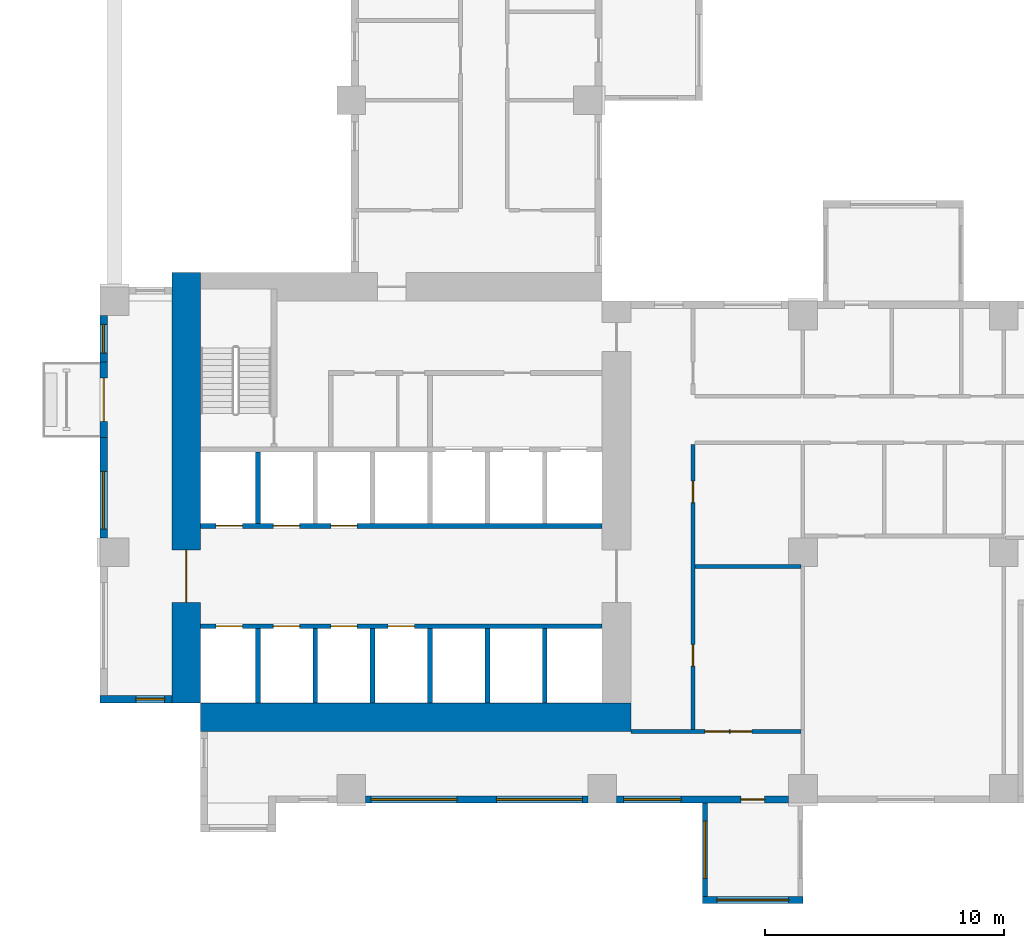
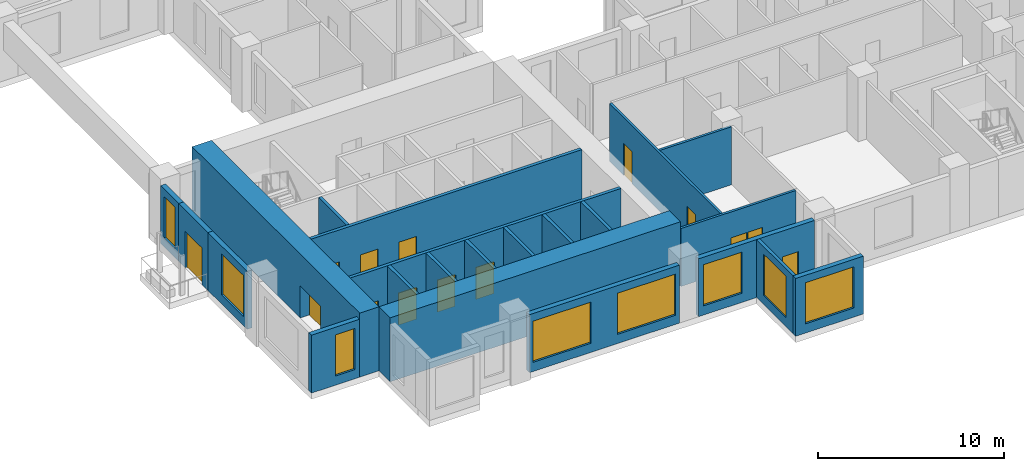
# One storey, part 2 of 14: 22 walls, 14 doors, 8 windows, 22 openings.
"""IFC4 building model written with IfcOpenShell, lengths in metres."""

from ifc_helpers import new_model, si_unit, direction, frame, frame_2d, origin, place, context, subcontext, project, spatial, rectangle, extrude, source, transform, mapped, material, layer, layer_set, type_object, element, fill, save


model = new_model("IFC4")

# Units and contexts
model_context = context("Model", 3, precision=1e-05, world=origin(), true_north=direction((0.0, 1.0)))
body_context = subcontext(model_context, "Body", "Model", "MODEL_VIEW")
ifc_project = project(units=[si_unit("LENGTHUNIT", "METRE"), si_unit("AREAUNIT", "SQUARE_METRE"), si_unit("VOLUMEUNIT", "CUBIC_METRE"), si_unit("PLANEANGLEUNIT", "RADIAN"), si_unit("MASSUNIT", "GRAM", prefix="KILO")], contexts=[model_context])

# Site, building, storey
site_placement = place(None, origin())
site = spatial("IfcSite", under=ifc_project, at=site_placement, CompositionType="ELEMENT")
building_placement = place(site_placement, origin())
building = spatial("IfcBuilding", under=site, at=building_placement, Name="Aurelian Terraces", CompositionType="ELEMENT")
storey_placement = place(building_placement, frame((0.0, 0.0, 78.3)))
storey = spatial("IfcBuildingStorey", under=building, at=storey_placement, Name="L16", CompositionType="ELEMENT", Elevation=78.3)

# Wall, openings, windows
ifc_material_1 = material(Name="Terracotta rainscreen cladding", Category="masonry")
ifc_layer_1 = layer(ifc_material_1, 0.3)
ifc_layer_set_1 = layer_set([ifc_layer_1], Name="EW-300")
wall_type_1 = type_object("IfcWallType", Name="EW-300", PredefinedType="STANDARD", material=ifc_layer_set_1)
wall_1_placement = place(storey_placement, frame((11.1, 0.15, 0.0), z_axis=(0.0, 0.0, 1.0), x_axis=(1.0, 0.0, 0.0)))
wall_1 = element("IfcWall", 1, at=wall_1_placement, inside=storey, type_object=wall_type_1, Name="External wall L16 F01.3", PredefinedType="STANDARD", context=body_context, shape_type="SweptSolid", body=[
    extrude(rectangle(XDim=9.3, YDim=0.3, at=frame_2d((4.65, 0.0))), origin(), (0.0, 0.0, 1.0), 3.8),
])
shared_shape_1 = source(origin(), body_context, "Body", "SweptSolid", [
    extrude(rectangle(XDim=3.6, YDim=2.7, at=frame_2d((1.8, 1.35))), frame((0.0, 0.16, 0.0), z_axis=(0.0, -1.0, 0.0), x_axis=(1.0, 0.0, 0.0)), (0.0, 0.0, 1.0), 0.32),
])
opening_1_placement = place(wall_1_placement, frame((0.225, 0.0, 0.6)))
opening_1 = element("IfcOpeningElement", 2, at=opening_1_placement, cuts=wall_1, Name="Opening W3627", PredefinedType="OPENING", context=body_context, shape_type="MappedRepresentation", body=[
    mapped(shared_shape_1, transform((0.0, 0.0, 0.0), scale=1.0)),
])
opening_2_placement = place(wall_1_placement, frame((5.475, 0.0, 0.6)))
opening_2 = element("IfcOpeningElement", 3, at=opening_2_placement, cuts=wall_1, Name="Opening W3627", PredefinedType="OPENING", context=body_context, shape_type="MappedRepresentation", body=[
    mapped(shared_shape_1, transform((0.0, 0.0, 0.0), scale=1.0)),
])
ifc_material_2 = material(Name="Clear glazing", Category="glass")
window_type_1 = type_object("IfcWindowType", Name="W-3600x2700", PartitioningType="SINGLE_PANEL", PredefinedType="WINDOW", material=ifc_material_2)
shared_shape_2 = source(origin(), body_context, "Body", "SweptSolid", [
    extrude(rectangle(XDim=3.6, YDim=2.7, at=frame_2d((1.8, 1.35))), frame((0.0, 0.03, 0.0), z_axis=(0.0, -1.0, 0.0), x_axis=(1.0, 0.0, 0.0)), (0.0, 0.0, 1.0), 0.06),
])
window_1_placement = place(opening_1_placement, origin())
window_1 = element("IfcWindow", 4, at=window_1_placement, inside=storey, type_object=window_type_1, Name="Window L16 L16-F01-03-0", OverallHeight=2.7, OverallWidth=3.6, PartitioningType="SINGLE_PANEL", PredefinedType="WINDOW", context=body_context, shape_type="MappedRepresentation", body=[
    mapped(shared_shape_2, transform((0.0, 0.0, 0.0), scale=1.0)),
])
fill(opening_1, window_1)
window_2_placement = place(opening_2_placement, origin())
window_2 = element("IfcWindow", 5, at=window_2_placement, inside=storey, type_object=window_type_1, Name="Window L16 L16-F01-03-1", OverallHeight=2.7, OverallWidth=3.6, PartitioningType="SINGLE_PANEL", PredefinedType="WINDOW", context=body_context, shape_type="MappedRepresentation", body=[
    mapped(shared_shape_2, transform((0.0, 0.0, 0.0), scale=1.0)),
])
fill(opening_2, window_2)

# Wall, opening, door
ifc_material_3 = material(Name="Concrete fc' 83 MPa", Category="concrete")
ifc_layer_2 = layer(ifc_material_3, 1.2)
ifc_layer_set_2 = layer_set([ifc_layer_2], Name="CORE WALL 1200 FC83")
wall_type_2 = type_object("IfcWallType", Name="CORE WALL 1200 FC83", PredefinedType="SHEAR", material=ifc_layer_set_2)
shared_shape_3 = source(origin(), body_context, "Body", "SweptSolid", [
    extrude(rectangle(XDim=18.0, YDim=1.2, at=frame_2d((9.0, 0.0))), origin(), (0.0, 0.0, 1.0), 4.2),
])
wall_2_placement = place(storey_placement, frame((3.6, 4.2, 0.0), z_axis=(0.0, 0.0, 1.0), x_axis=(0.0, 1.0, 0.0)))
wall_2 = element("IfcWall", 6, at=wall_2_placement, inside=storey, type_object=wall_type_2, Name="Core wall W L16", PredefinedType="SHEAR", context=body_context, shape_type="MappedRepresentation", body=[
    mapped(shared_shape_3, transform((0.0, 0.0, 0.0), scale=1.0)),
])
shared_shape_4 = source(origin(), body_context, "Body", "SweptSolid", [
    extrude(rectangle(XDim=2.2, YDim=2.1, at=frame_2d((1.1, 1.05))), frame((0.0, 0.61, 0.0), z_axis=(0.0, -1.0, 0.0), x_axis=(1.0, 0.0, 0.0)), (0.0, 0.0, 1.0), 1.22),
])
opening_3_placement = place(wall_2_placement, frame((4.2, 0.0, 0.0)))
opening_3 = element("IfcOpeningElement", 7, at=opening_3_placement, cuts=wall_2, Name="Opening 61921", PredefinedType="OPENING", context=body_context, shape_type="MappedRepresentation", body=[
    mapped(shared_shape_4, transform((0.0, 0.0, 0.0), scale=1.0)),
])
ifc_material_4 = material(Name="Steel door leaf", Category="steel")
door_type_1 = type_object("IfcDoorType", Name="Core double door 2200x2100", OperationType="DOUBLE_DOOR_SINGLE_SWING", PredefinedType="DOOR", material=ifc_material_4)
shared_shape_5 = source(origin(), body_context, "Body", "SweptSolid", [
    extrude(rectangle(XDim=2.2, YDim=2.1, at=frame_2d((1.1, 1.05))), frame((0.0, 0.025, 0.0), z_axis=(0.0, -1.0, 0.0), x_axis=(1.0, 0.0, 0.0)), (0.0, 0.0, 1.0), 0.05),
])
door_1_placement = place(opening_3_placement, origin())
door_1 = element("IfcDoor", 8, at=door_1_placement, inside=storey, type_object=door_type_1, Name="Core door 61921", OperationType="DOUBLE_DOOR_SINGLE_SWING", OverallHeight=2.1, OverallWidth=2.2, PredefinedType="DOOR", context=body_context, shape_type="MappedRepresentation", body=[
    mapped(shared_shape_5, transform((0.0, 0.0, 0.0), scale=1.0)),
])
fill(opening_3, door_1)

# Wall
wall_3_placement = place(storey_placement, frame((4.2, 3.6, 0.0), z_axis=(0.0, 0.0, 1.0), x_axis=(1.0, 0.0, 0.0)))
element("IfcWall", 9, at=wall_3_placement, inside=storey, type_object=wall_type_2, Name="Core wall S L16", PredefinedType="SHEAR", context=body_context, shape_type="MappedRepresentation", body=[
    mapped(shared_shape_3, transform((0.0, 0.0, 0.0), scale=1.0)),
])

# Wall, openings, window, door
shared_shape_6 = source(origin(), body_context, "Body", "SweptSolid", [
    extrude(rectangle(XDim=7.2, YDim=0.3, at=frame_2d((3.6, 0.0))), origin(), (0.0, 0.0, 1.0), 3.8),
])
wall_4_placement = place(storey_placement, frame((21.6, 0.15, 0.0), z_axis=(0.0, 0.0, 1.0), x_axis=(1.0, 0.0, 0.0)))
wall_4 = element("IfcWall", 10, at=wall_4_placement, inside=storey, type_object=wall_type_1, Name="External wall L16 F01.4", PredefinedType="STANDARD", context=body_context, shape_type="MappedRepresentation", body=[
    mapped(shared_shape_6, transform((0.0, 0.0, 0.0), scale=1.0)),
])
shared_shape_7 = source(origin(), body_context, "Body", "SweptSolid", [
    extrude(rectangle(XDim=2.4, YDim=2.7, at=frame_2d((1.2, 1.35))), frame((0.0, 0.16, 0.0), z_axis=(0.0, -1.0, 0.0), x_axis=(1.0, 0.0, 0.0)), (0.0, 0.0, 1.0), 0.32),
])
opening_4_placement = place(wall_4_placement, frame((0.3, 0.0, 0.6)))
opening_4 = element("IfcOpeningElement", 11, at=opening_4_placement, cuts=wall_4, Name="Opening W2427", PredefinedType="OPENING", context=body_context, shape_type="MappedRepresentation", body=[
    mapped(shared_shape_7, transform((0.0, 0.0, 0.0), scale=1.0)),
])
shared_shape_8 = source(origin(), body_context, "Body", "SweptSolid", [
    extrude(rectangle(XDim=1.0, YDim=2.1, at=frame_2d((0.5, 1.05))), frame((0.0, 0.16, 0.0), z_axis=(0.0, -1.0, 0.0), x_axis=(1.0, 0.0, 0.0)), (0.0, 0.0, 1.0), 0.32),
])
opening_5_placement = place(wall_4_placement, frame((5.2, 0.0, 0.0)))
opening_5 = element("IfcOpeningElement", 12, at=opening_5_placement, cuts=wall_4, Name="Opening 816004", PredefinedType="OPENING", context=body_context, shape_type="MappedRepresentation", body=[
    mapped(shared_shape_8, transform((0.0, 0.0, 0.0), scale=1.0)),
])
window_type_2 = type_object("IfcWindowType", Name="W-2400x2700", PartitioningType="SINGLE_PANEL", PredefinedType="WINDOW", material=ifc_material_2)
shared_shape_9 = source(origin(), body_context, "Body", "SweptSolid", [
    extrude(rectangle(XDim=2.4, YDim=2.7, at=frame_2d((1.2, 1.35))), frame((0.0, 0.03, 0.0), z_axis=(0.0, -1.0, 0.0), x_axis=(1.0, 0.0, 0.0)), (0.0, 0.0, 1.0), 0.06),
])
window_3_placement = place(opening_4_placement, origin())
window_3 = element("IfcWindow", 13, at=window_3_placement, inside=storey, type_object=window_type_2, Name="Window L16 L16-F01-04-0", OverallHeight=2.7, OverallWidth=2.4, PartitioningType="SINGLE_PANEL", PredefinedType="WINDOW", context=body_context, shape_type="MappedRepresentation", body=[
    mapped(shared_shape_9, transform((0.0, 0.0, 0.0), scale=1.0)),
])
fill(opening_4, window_3)
ifc_material_5 = material(Name="Timber door leaf", Category="wood")
door_type_2 = type_object("IfcDoorType", Name="Room door 1000x2100 left", OperationType="SINGLE_SWING_LEFT", PredefinedType="DOOR", material=ifc_material_5)
shared_shape_10 = source(origin(), body_context, "Body", "SweptSolid", [
    extrude(rectangle(XDim=1.0, YDim=2.1, at=frame_2d((0.5, 1.05))), frame((0.0, 0.025, 0.0), z_axis=(0.0, -1.0, 0.0), x_axis=(1.0, 0.0, 0.0)), (0.0, 0.0, 1.0), 0.05),
])
door_2_placement = place(opening_5_placement, origin())
door_2 = element("IfcDoor", 14, at=door_2_placement, inside=storey, type_object=door_type_2, Name="Door 816004", OperationType="SINGLE_SWING_LEFT", OverallHeight=2.1, OverallWidth=1.0, PredefinedType="DOOR", context=body_context, shape_type="MappedRepresentation", body=[
    mapped(shared_shape_10, transform((0.0, 0.0, 0.0), scale=1.0)),
])
fill(opening_5, door_2)

# Wall, opening, door
shared_shape_11 = source(origin(), body_context, "Body", "SweptSolid", [
    extrude(rectangle(XDim=3.15, YDim=0.3, at=frame_2d((1.575, 0.0))), origin(), (0.0, 0.0, 1.0), 3.8),
])
wall_5_placement = place(storey_placement, frame((0.15, 18.45, 0.0), z_axis=(0.0, 0.0, 1.0), x_axis=(0.0, -1.0, 0.0)))
wall_5 = element("IfcWall", 15, at=wall_5_placement, inside=storey, type_object=wall_type_1, Name="External wall L16 F16.37", PredefinedType="STANDARD", context=body_context, shape_type="MappedRepresentation", body=[
    mapped(shared_shape_11, transform((0.0, 0.0, 0.0), scale=1.0)),
])
shared_shape_12 = source(origin(), body_context, "Body", "SweptSolid", [
    extrude(rectangle(XDim=1.8, YDim=2.4, at=frame_2d((0.9, 1.2))), frame((0.0, 0.16, 0.0), z_axis=(0.0, -1.0, 0.0), x_axis=(1.0, 0.0, 0.0)), (0.0, 0.0, 1.0), 0.32),
])
opening_6_placement = place(wall_5_placement, frame((0.675, 0.0, 0.0)))
opening_6 = element("IfcOpeningElement", 16, at=opening_6_placement, cuts=wall_5, Name="Opening 81602", PredefinedType="OPENING", context=body_context, shape_type="MappedRepresentation", body=[
    mapped(shared_shape_12, transform((0.0, 0.0, 0.0), scale=1.0)),
])
door_type_3 = type_object("IfcDoorType", Name="BD-1800x2400", OperationType="SLIDING_TO_LEFT", PredefinedType="DOOR", material=ifc_material_2)
shared_shape_13 = source(origin(), body_context, "Body", "SweptSolid", [
    extrude(rectangle(XDim=1.8, YDim=2.4, at=frame_2d((0.9, 1.2))), frame((0.0, 0.025, 0.0), z_axis=(0.0, -1.0, 0.0), x_axis=(1.0, 0.0, 0.0)), (0.0, 0.0, 1.0), 0.05),
])
door_3_placement = place(opening_6_placement, origin())
door_3 = element("IfcDoor", 17, at=door_3_placement, inside=storey, type_object=door_type_3, Name="Balcony door L16 F16.37", OperationType="SLIDING_TO_LEFT", OverallHeight=2.4, OverallWidth=1.8, PredefinedType="DOOR", context=body_context, shape_type="MappedRepresentation", body=[
    mapped(shared_shape_13, transform((0.0, 0.0, 0.0), scale=1.0)),
])
fill(opening_6, door_3)

# Wall, opening, window
shared_shape_14 = source(origin(), body_context, "Body", "SweptSolid", [
    extrude(rectangle(XDim=4.2, YDim=0.3, at=frame_2d((2.1, 0.0))), origin(), (0.0, 0.0, 1.0), 3.8),
])
wall_6_placement = place(storey_placement, frame((0.15, 15.3, 0.0), z_axis=(0.0, 0.0, 1.0), x_axis=(0.0, -1.0, 0.0)))
wall_6 = element("IfcWall", 18, at=wall_6_placement, inside=storey, type_object=wall_type_1, Name="External wall L16 F16.38", PredefinedType="STANDARD", context=body_context, shape_type="MappedRepresentation", body=[
    mapped(shared_shape_14, transform((0.0, 0.0, 0.0), scale=1.0)),
])
opening_7_placement = place(wall_6_placement, frame((1.425, 0.0, 0.6)))
opening_7 = element("IfcOpeningElement", 19, at=opening_7_placement, cuts=wall_6, Name="Opening W2427", PredefinedType="OPENING", context=body_context, shape_type="MappedRepresentation", body=[
    mapped(shared_shape_7, transform((0.0, 0.0, 0.0), scale=1.0)),
])
window_4_placement = place(opening_7_placement, origin())
window_4 = element("IfcWindow", 20, at=window_4_placement, inside=storey, type_object=window_type_2, Name="Window L16 L16-F16-38-0", OverallHeight=2.7, OverallWidth=2.4, PartitioningType="SINGLE_PANEL", PredefinedType="WINDOW", context=body_context, shape_type="MappedRepresentation", body=[
    mapped(shared_shape_9, transform((0.0, 0.0, 0.0), scale=1.0)),
])
fill(opening_7, window_4)

shared_shape_15 = source(origin(), body_context, "Body", "SweptSolid", [
    extrude(rectangle(XDim=3.0, YDim=0.3, at=frame_2d((1.5, 0.0))), origin(), (0.0, 0.0, 1.0), 3.8),
])
wall_7_placement = place(storey_placement, frame((0.0, 4.35, 0.0), z_axis=(0.0, 0.0, 1.0), x_axis=(1.0, 0.0, 0.0)))
wall_7 = element("IfcWall", 21, at=wall_7_placement, inside=storey, type_object=wall_type_1, Name="External wall L16 F17.39", PredefinedType="STANDARD", context=body_context, shape_type="MappedRepresentation", body=[
    mapped(shared_shape_15, transform((0.0, 0.0, 0.0), scale=1.0)),
])
shared_shape_16 = source(origin(), body_context, "Body", "SweptSolid", [
    extrude(rectangle(XDim=1.2, YDim=2.7, at=frame_2d((0.6, 1.35))), frame((0.0, 0.16, 0.0), z_axis=(0.0, -1.0, 0.0), x_axis=(1.0, 0.0, 0.0)), (0.0, 0.0, 1.0), 0.32),
])
opening_8_placement = place(wall_7_placement, frame((1.5, 0.0, 0.6)))
opening_8 = element("IfcOpeningElement", 22, at=opening_8_placement, cuts=wall_7, Name="Opening W1227", PredefinedType="OPENING", context=body_context, shape_type="MappedRepresentation", body=[
    mapped(shared_shape_16, transform((0.0, 0.0, 0.0), scale=1.0)),
])
window_type_3 = type_object("IfcWindowType", Name="W-1200x2700", PartitioningType="SINGLE_PANEL", PredefinedType="WINDOW", material=ifc_material_2)
shared_shape_17 = source(origin(), body_context, "Body", "SweptSolid", [
    extrude(rectangle(XDim=1.2, YDim=2.7, at=frame_2d((0.6, 1.35))), frame((0.0, 0.03, 0.0), z_axis=(0.0, -1.0, 0.0), x_axis=(1.0, 0.0, 0.0)), (0.0, 0.0, 1.0), 0.06),
])
window_5_placement = place(opening_8_placement, origin())
window_5 = element("IfcWindow", 23, at=window_5_placement, inside=storey, type_object=window_type_3, Name="Window L16 L16-F17-39-0", OverallHeight=2.7, OverallWidth=1.2, PartitioningType="SINGLE_PANEL", PredefinedType="WINDOW", context=body_context, shape_type="MappedRepresentation", body=[
    mapped(shared_shape_17, transform((0.0, 0.0, 0.0), scale=1.0)),
])
fill(opening_8, window_5)

ifc_material_6 = material(Name="Concrete fc' 40 MPa", Category="concrete")
ifc_layer_3 = layer(ifc_material_6, 0.2)
ifc_layer_set_3 = layer_set([ifc_layer_3], Name="BOX BEARING WALL 200")
wall_type_3 = type_object("IfcWallType", Name="BOX BEARING WALL 200", PredefinedType="SOLIDWALL", material=ifc_layer_set_3)
shared_shape_18 = source(origin(), body_context, "Body", "SweptSolid", [
    extrude(rectangle(XDim=3.9, YDim=0.2, at=frame_2d((1.95, 0.0))), origin(), (0.0, 0.0, 1.0), 3.79),
])
wall_8_placement = place(storey_placement, frame((25.3, 0.0, 0.0), z_axis=(0.0, 0.0, 1.0), x_axis=(0.0, -1.0, 0.0)))
wall_8 = element("IfcWall", 24, at=wall_8_placement, inside=storey, type_object=wall_type_3, Name="Box return L16 J19.1", PredefinedType="SOLIDWALL", context=body_context, shape_type="MappedRepresentation", body=[
    mapped(shared_shape_18, transform((0.0, 0.0, 0.0), scale=1.0)),
])
shared_shape_19 = source(origin(), body_context, "Body", "SweptSolid", [
    extrude(rectangle(XDim=2.4, YDim=2.7, at=frame_2d((1.2, 1.35))), frame((0.0, 0.11, 0.0), z_axis=(0.0, -1.0, 0.0), x_axis=(1.0, 0.0, 0.0)), (0.0, 0.0, 1.0), 0.22),
])
opening_9_placement = place(wall_8_placement, frame((0.75, 0.0, 0.6)))
opening_9 = element("IfcOpeningElement", 25, at=opening_9_placement, cuts=wall_8, Name="Opening W2427", PredefinedType="OPENING", context=body_context, shape_type="MappedRepresentation", body=[
    mapped(shared_shape_19, transform((0.0, 0.0, 0.0), scale=1.0)),
])
window_6_placement = place(opening_9_placement, origin())
window_6 = element("IfcWindow", 26, at=window_6_placement, inside=storey, type_object=window_type_2, Name="Window L16 J19-S1", OverallHeight=2.7, OverallWidth=2.4, PartitioningType="SINGLE_PANEL", PredefinedType="WINDOW", context=body_context, shape_type="MappedRepresentation", body=[
    mapped(shared_shape_9, transform((0.0, 0.0, 0.0), scale=1.0)),
])
fill(opening_9, window_6)

ifc_layer_4 = layer(ifc_material_6, 0.3)
ifc_layer_set_4 = layer_set([ifc_layer_4], Name="BOX BEARING WALL 300")
wall_type_4 = type_object("IfcWallType", Name="BOX BEARING WALL 300", PredefinedType="SOLIDWALL", material=ifc_layer_set_4)
shared_shape_20 = source(origin(), body_context, "Body", "SweptSolid", [
    extrude(rectangle(XDim=4.2, YDim=0.3, at=frame_2d((2.1, 0.0))), origin(), (0.0, 0.0, 1.0), 3.79),
])
wall_9_placement = place(storey_placement, frame((25.2, -4.05, 0.0), z_axis=(0.0, 0.0, 1.0), x_axis=(1.0, 0.0, 0.0)))
wall_9 = element("IfcWall", 27, at=wall_9_placement, inside=storey, type_object=wall_type_4, Name="Box wall L16 J19", PredefinedType="SOLIDWALL", context=body_context, shape_type="MappedRepresentation", body=[
    mapped(shared_shape_20, transform((0.0, 0.0, 0.0), scale=1.0)),
])
shared_shape_21 = source(origin(), body_context, "Body", "SweptSolid", [
    extrude(rectangle(XDim=3.0, YDim=2.7, at=frame_2d((1.5, 1.35))), frame((0.0, 0.16, 0.0), z_axis=(0.0, -1.0, 0.0), x_axis=(1.0, 0.0, 0.0)), (0.0, 0.0, 1.0), 0.32),
])
opening_10_placement = place(wall_9_placement, frame((0.6, 0.0, 0.6)))
opening_10 = element("IfcOpeningElement", 28, at=opening_10_placement, cuts=wall_9, Name="Opening W3027", PredefinedType="OPENING", context=body_context, shape_type="MappedRepresentation", body=[
    mapped(shared_shape_21, transform((0.0, 0.0, 0.0), scale=1.0)),
])
window_type_4 = type_object("IfcWindowType", Name="W-3000x2700", PartitioningType="SINGLE_PANEL", PredefinedType="WINDOW", material=ifc_material_2)
shared_shape_22 = source(origin(), body_context, "Body", "SweptSolid", [
    extrude(rectangle(XDim=3.0, YDim=2.7, at=frame_2d((1.5, 1.35))), frame((0.0, 0.03, 0.0), z_axis=(0.0, -1.0, 0.0), x_axis=(1.0, 0.0, 0.0)), (0.0, 0.0, 1.0), 0.06),
])
window_7_placement = place(opening_10_placement, origin())
window_7 = element("IfcWindow", 29, at=window_7_placement, inside=storey, type_object=window_type_4, Name="Window L16 J19-F1", OverallHeight=2.7, OverallWidth=3.0, PartitioningType="SINGLE_PANEL", PredefinedType="WINDOW", context=body_context, shape_type="MappedRepresentation", body=[
    mapped(shared_shape_22, transform((0.0, 0.0, 0.0), scale=1.0)),
])
fill(opening_10, window_7)

shared_shape_23 = source(origin(), body_context, "Body", "SweptSolid", [
    extrude(rectangle(XDim=1.95, YDim=0.3, at=frame_2d((0.975, 0.0))), origin(), (0.0, 0.0, 1.0), 3.8),
])
wall_10_placement = place(storey_placement, frame((0.15, 20.4, 0.0), z_axis=(0.0, 0.0, 1.0), x_axis=(0.0, -1.0, 0.0)))
wall_10 = element("IfcWall", 30, at=wall_10_placement, inside=storey, type_object=wall_type_1, Name="External wall L16 F16.36", PredefinedType="STANDARD", context=body_context, shape_type="MappedRepresentation", body=[
    mapped(shared_shape_23, transform((0.0, 0.0, 0.0), scale=1.0)),
])
opening_11_placement = place(wall_10_placement, frame((0.375, 0.0, 0.6)))
opening_11 = element("IfcOpeningElement", 31, at=opening_11_placement, cuts=wall_10, Name="Opening W1227", PredefinedType="OPENING", context=body_context, shape_type="MappedRepresentation", body=[
    mapped(shared_shape_16, transform((0.0, 0.0, 0.0), scale=1.0)),
])
window_8_placement = place(opening_11_placement, origin())
window_8 = element("IfcWindow", 32, at=window_8_placement, inside=storey, type_object=window_type_3, Name="Window L16 L16-F16-36-P0", OverallHeight=2.7, OverallWidth=1.2, PartitioningType="SINGLE_PANEL", PredefinedType="WINDOW", context=body_context, shape_type="MappedRepresentation", body=[
    mapped(shared_shape_17, transform((0.0, 0.0, 0.0), scale=1.0)),
])
fill(opening_11, window_8)

# Walls
ifc_layer_5 = layer(ifc_material_6, 0.2)
ifc_layer_set_5 = layer_set([ifc_layer_5], Name="Lift shaft wall 200")
wall_type_5 = type_object("IfcWallType", Name="Lift shaft wall 200", PredefinedType="SOLIDWALL", material=ifc_layer_set_5)
shared_shape_24 = source(origin(), body_context, "Body", "SweptSolid", [
    extrude(rectangle(XDim=3.1, YDim=0.2, at=frame_2d((1.55, 0.0))), origin(), (0.0, 0.0, 1.0), 4.2),
])
for number, where, z_axis, x_axis, name in (
    (33, (6.6, 4.2, 0.0), (0.0, 0.0, 1.0), (0.0, 1.0, 0.0), "L16 core wall CD-A1"),
    (34, (9.0, 4.2, 0.0), (0.0, 0.0, 1.0), (0.0, 1.0, 0.0), "L16 core wall CD-A2"),
    (35, (11.4, 4.2, 0.0), (0.0, 0.0, 1.0), (0.0, 1.0, 0.0), "L16 core wall CD-A3"),
    (36, (13.8, 4.2, 0.0), (0.0, 0.0, 1.0), (0.0, 1.0, 0.0), "L16 core wall CD-A4"),
    (37, (16.2, 4.2, 0.0), (0.0, 0.0, 1.0), (0.0, 1.0, 0.0), "L16 core wall CD-A5"),
    (38, (18.6, 4.2, 0.0), (0.0, 0.0, 1.0), (0.0, 1.0, 0.0), "L16 core wall CD-A6"),
):
    element("IfcWall", number, at=place(storey_placement, frame(where, z_axis=z_axis, x_axis=x_axis)), inside=storey, type_object=wall_type_5, Name=name, PredefinedType="SOLIDWALL", context=body_context, shape_type="MappedRepresentation", body=[
        mapped(shared_shape_24, transform((0.0, 0.0, 0.0), scale=1.0)),
    ])
shared_shape_25 = source(origin(), body_context, "Body", "SweptSolid", [
    extrude(rectangle(XDim=3.0, YDim=0.2, at=frame_2d((1.5, 0.0))), origin(), (0.0, 0.0, 1.0), 4.2),
])
wall_11_placement = place(storey_placement, frame((6.6, 11.7, 0.0), z_axis=(0.0, 0.0, 1.0), x_axis=(0.0, 1.0, 0.0)))
element("IfcWall", 39, at=wall_11_placement, inside=storey, type_object=wall_type_5, Name="L16 core wall CD-B1", PredefinedType="SOLIDWALL", context=body_context, shape_type="MappedRepresentation", body=[
    mapped(shared_shape_25, transform((0.0, 0.0, 0.0), scale=1.0)),
])

# Wall, openings, doors
shared_shape_26 = source(origin(), body_context, "Body", "SweptSolid", [
    extrude(rectangle(XDim=16.8, YDim=0.2, at=frame_2d((8.4, 0.0))), origin(), (0.0, 0.0, 1.0), 4.2),
])
wall_12_placement = place(storey_placement, frame((4.2, 7.4, 0.0), z_axis=(0.0, 0.0, 1.0), x_axis=(1.0, 0.0, 0.0)))
wall_12 = element("IfcWall", 40, at=wall_12_placement, inside=storey, type_object=wall_type_5, Name="L16 core wall CF-AF1", PredefinedType="SOLIDWALL", context=body_context, shape_type="MappedRepresentation", body=[
    mapped(shared_shape_26, transform((0.0, 0.0, 0.0), scale=1.0)),
])
shared_shape_27 = source(origin(), body_context, "Body", "SweptSolid", [
    extrude(rectangle(XDim=1.1, YDim=2.1, at=frame_2d((0.55, 1.05))), frame((0.0, 0.11, 0.0), z_axis=(0.0, -1.0, 0.0), x_axis=(1.0, 0.0, 0.0)), (0.0, 0.0, 1.0), 0.22),
])
opening_12_placement = place(wall_12_placement, frame((0.65, 0.0, 0.0)))
opening_12 = element("IfcOpeningElement", 41, at=opening_12_placement, cuts=wall_12, Name="Opening 61900", PredefinedType="OPENING", context=body_context, shape_type="MappedRepresentation", body=[
    mapped(shared_shape_27, transform((0.0, 0.0, 0.0), scale=1.0)),
])
opening_13_placement = place(wall_12_placement, frame((3.05, 0.0, 0.0)))
opening_13 = element("IfcOpeningElement", 42, at=opening_13_placement, cuts=wall_12, Name="Opening 61901", PredefinedType="OPENING", context=body_context, shape_type="MappedRepresentation", body=[
    mapped(shared_shape_27, transform((0.0, 0.0, 0.0), scale=1.0)),
])
opening_14_placement = place(wall_12_placement, frame((5.45, 0.0, 0.0)))
opening_14 = element("IfcOpeningElement", 43, at=opening_14_placement, cuts=wall_12, Name="Opening 61902", PredefinedType="OPENING", context=body_context, shape_type="MappedRepresentation", body=[
    mapped(shared_shape_27, transform((0.0, 0.0, 0.0), scale=1.0)),
])
opening_15_placement = place(wall_12_placement, frame((7.85, 0.0, 0.0)))
opening_15 = element("IfcOpeningElement", 44, at=opening_15_placement, cuts=wall_12, Name="Opening 61903", PredefinedType="OPENING", context=body_context, shape_type="MappedRepresentation", body=[
    mapped(shared_shape_27, transform((0.0, 0.0, 0.0), scale=1.0)),
])
ifc_material_7 = material(Name="Stainless steel", Category="steel")
door_type_4 = type_object("IfcDoorType", Name="Lift landing door 1100x2100", OperationType="SLIDING_TO_LEFT", PredefinedType="DOOR", material=ifc_material_7)
shared_shape_28 = source(origin(), body_context, "Body", "SweptSolid", [
    extrude(rectangle(XDim=1.1, YDim=2.1, at=frame_2d((0.55, 1.05))), frame((0.0, 0.025, 0.0), z_axis=(0.0, -1.0, 0.0), x_axis=(1.0, 0.0, 0.0)), (0.0, 0.0, 1.0), 0.05),
])
door_4_placement = place(opening_12_placement, origin())
door_4 = element("IfcDoor", 45, at=door_4_placement, inside=storey, type_object=door_type_4, Name="Lift landing door LL1 L16", OperationType="SLIDING_TO_LEFT", OverallHeight=2.1, OverallWidth=1.1, PredefinedType="DOOR", context=body_context, shape_type="MappedRepresentation", body=[
    mapped(shared_shape_28, transform((0.0, 0.0, 0.0), scale=1.0)),
])
fill(opening_12, door_4)
door_5_placement = place(opening_13_placement, origin())
door_5 = element("IfcDoor", 46, at=door_5_placement, inside=storey, type_object=door_type_4, Name="Lift landing door LL2 L16", OperationType="SLIDING_TO_LEFT", OverallHeight=2.1, OverallWidth=1.1, PredefinedType="DOOR", context=body_context, shape_type="MappedRepresentation", body=[
    mapped(shared_shape_28, transform((0.0, 0.0, 0.0), scale=1.0)),
])
fill(opening_13, door_5)
door_6_placement = place(opening_14_placement, origin())
door_6 = element("IfcDoor", 47, at=door_6_placement, inside=storey, type_object=door_type_4, Name="Lift landing door LL3 L16", OperationType="SLIDING_TO_LEFT", OverallHeight=2.1, OverallWidth=1.1, PredefinedType="DOOR", context=body_context, shape_type="MappedRepresentation", body=[
    mapped(shared_shape_28, transform((0.0, 0.0, 0.0), scale=1.0)),
])
fill(opening_14, door_6)
door_7_placement = place(opening_15_placement, origin())
door_7 = element("IfcDoor", 48, at=door_7_placement, inside=storey, type_object=door_type_4, Name="Lift landing door LL4 L16", OperationType="SLIDING_TO_LEFT", OverallHeight=2.1, OverallWidth=1.1, PredefinedType="DOOR", context=body_context, shape_type="MappedRepresentation", body=[
    mapped(shared_shape_28, transform((0.0, 0.0, 0.0), scale=1.0)),
])
fill(opening_15, door_7)

wall_13_placement = place(storey_placement, frame((4.2, 11.6, 0.0), z_axis=(0.0, 0.0, 1.0), x_axis=(1.0, 0.0, 0.0)))
wall_13 = element("IfcWall", 49, at=wall_13_placement, inside=storey, type_object=wall_type_5, Name="L16 core wall CF-BF1", PredefinedType="SOLIDWALL", context=body_context, shape_type="MappedRepresentation", body=[
    mapped(shared_shape_26, transform((0.0, 0.0, 0.0), scale=1.0)),
])
opening_16_placement = place(wall_13_placement, frame((0.65, 0.0, 0.0)))
opening_16 = element("IfcOpeningElement", 50, at=opening_16_placement, cuts=wall_13, Name="Opening 61904", PredefinedType="OPENING", context=body_context, shape_type="MappedRepresentation", body=[
    mapped(shared_shape_27, transform((0.0, 0.0, 0.0), scale=1.0)),
])
opening_17_placement = place(wall_13_placement, frame((3.05, 0.0, 0.0)))
opening_17 = element("IfcOpeningElement", 51, at=opening_17_placement, cuts=wall_13, Name="Opening 61905", PredefinedType="OPENING", context=body_context, shape_type="MappedRepresentation", body=[
    mapped(shared_shape_27, transform((0.0, 0.0, 0.0), scale=1.0)),
])
opening_18_placement = place(wall_13_placement, frame((5.45, 0.0, 0.0)))
opening_18 = element("IfcOpeningElement", 52, at=opening_18_placement, cuts=wall_13, Name="Opening 61906", PredefinedType="OPENING", context=body_context, shape_type="MappedRepresentation", body=[
    mapped(shared_shape_27, transform((0.0, 0.0, 0.0), scale=1.0)),
])
door_8_placement = place(opening_16_placement, origin())
door_8 = element("IfcDoor", 53, at=door_8_placement, inside=storey, type_object=door_type_4, Name="Lift landing door LL5 L16", OperationType="SLIDING_TO_LEFT", OverallHeight=2.1, OverallWidth=1.1, PredefinedType="DOOR", context=body_context, shape_type="MappedRepresentation", body=[
    mapped(shared_shape_28, transform((0.0, 0.0, 0.0), scale=1.0)),
])
fill(opening_16, door_8)
door_9_placement = place(opening_17_placement, origin())
door_9 = element("IfcDoor", 54, at=door_9_placement, inside=storey, type_object=door_type_4, Name="Lift landing door LL6 L16", OperationType="SLIDING_TO_LEFT", OverallHeight=2.1, OverallWidth=1.1, PredefinedType="DOOR", context=body_context, shape_type="MappedRepresentation", body=[
    mapped(shared_shape_28, transform((0.0, 0.0, 0.0), scale=1.0)),
])
fill(opening_17, door_9)
door_10_placement = place(opening_18_placement, origin())
door_10 = element("IfcDoor", 55, at=door_10_placement, inside=storey, type_object=door_type_4, Name="Lift landing door LL7 L16", OperationType="SLIDING_TO_LEFT", OverallHeight=2.1, OverallWidth=1.1, PredefinedType="DOOR", context=body_context, shape_type="MappedRepresentation", body=[
    mapped(shared_shape_28, transform((0.0, 0.0, 0.0), scale=1.0)),
])
fill(opening_18, door_10)

ifc_material_8 = material(Name="Gypsum board on steel studs", Category="steel")
ifc_layer_6 = layer(ifc_material_8, 0.15)
ifc_layer_set_6 = layer_set([ifc_layer_6], Name="Partition 150")
wall_type_6 = type_object("IfcWallType", Name="Partition 150", PredefinedType="PARTITIONING", material=ifc_layer_set_6)
shared_shape_29 = source(origin(), body_context, "Body", "SweptSolid", [
    extrude(rectangle(XDim=11.925, YDim=0.15, at=frame_2d((5.9625, 0.0))), origin(), (0.0, 0.0, 1.0), 3.8),
])
wall_14_placement = place(storey_placement, frame((24.8, 15.0, 0.0), z_axis=(0.0, 0.0, 1.0), x_axis=(0.0, -1.0, 0.0)))
wall_14 = element("IfcWall", 56, at=wall_14_placement, inside=storey, type_object=wall_type_6, Name="Partition", PredefinedType="PARTITIONING", context=body_context, shape_type="MappedRepresentation", body=[
    mapped(shared_shape_29, transform((0.0, 0.0, 0.0), scale=1.0)),
])
shared_shape_30 = source(origin(), body_context, "Body", "SweptSolid", [
    extrude(rectangle(XDim=0.9, YDim=2.1, at=frame_2d((0.45, 1.05))), frame((0.0, 0.085, 0.0), z_axis=(0.0, -1.0, 0.0), x_axis=(1.0, 0.0, 0.0)), (0.0, 0.0, 1.0), 0.17),
])
opening_19_placement = place(wall_14_placement, frame((8.3625, 0.0, 0.0)))
opening_19 = element("IfcOpeningElement", 57, at=opening_19_placement, cuts=wall_14, Name="Opening 716001", PredefinedType="OPENING", context=body_context, shape_type="MappedRepresentation", body=[
    mapped(shared_shape_30, transform((0.0, 0.0, 0.0), scale=1.0)),
])
opening_20_placement = place(wall_14_placement, frame((1.525, 0.0, 0.0)))
opening_20 = element("IfcOpeningElement", 58, at=opening_20_placement, cuts=wall_14, Name="Opening 716002", PredefinedType="OPENING", context=body_context, shape_type="MappedRepresentation", body=[
    mapped(shared_shape_30, transform((0.0, 0.0, 0.0), scale=1.0)),
])
door_type_5 = type_object("IfcDoorType", Name="Room door 900x2100 right", OperationType="SINGLE_SWING_RIGHT", PredefinedType="DOOR", material=ifc_material_5)
shared_shape_31 = source(origin(), body_context, "Body", "SweptSolid", [
    extrude(rectangle(XDim=0.9, YDim=2.1, at=frame_2d((0.45, 1.05))), frame((0.0, 0.025, 0.0), z_axis=(0.0, -1.0, 0.0), x_axis=(1.0, 0.0, 0.0)), (0.0, 0.0, 1.0), 0.05),
])
door_11_placement = place(opening_19_placement, origin())
door_11 = element("IfcDoor", 59, at=door_11_placement, inside=storey, type_object=door_type_5, Name="Door 716001", OperationType="SINGLE_SWING_RIGHT", OverallHeight=2.1, OverallWidth=0.9, PredefinedType="DOOR", context=body_context, shape_type="MappedRepresentation", body=[
    mapped(shared_shape_31, transform((0.0, 0.0, 0.0), scale=1.0)),
])
fill(opening_19, door_11)
door_type_6 = type_object("IfcDoorType", Name="Room door 900x2100 left", OperationType="SINGLE_SWING_LEFT", PredefinedType="DOOR", material=ifc_material_5)
door_12_placement = place(opening_20_placement, origin())
door_12 = element("IfcDoor", 60, at=door_12_placement, inside=storey, type_object=door_type_6, Name="Door 716002", OperationType="SINGLE_SWING_LEFT", OverallHeight=2.1, OverallWidth=0.9, PredefinedType="DOOR", context=body_context, shape_type="MappedRepresentation", body=[
    mapped(shared_shape_31, transform((0.0, 0.0, 0.0), scale=1.0)),
])
fill(opening_20, door_12)

shared_shape_32 = source(origin(), body_context, "Body", "SweptSolid", [
    extrude(rectangle(XDim=7.125, YDim=0.15, at=frame_2d((3.5625, 0.0))), origin(), (0.0, 0.0, 1.0), 3.8),
])
wall_15_placement = place(storey_placement, frame((22.2, 3.0, 0.0), z_axis=(0.0, 0.0, 1.0), x_axis=(1.0, 0.0, 0.0)))
wall_15 = element("IfcWall", 61, at=wall_15_placement, inside=storey, type_object=wall_type_6, Name="Partition", PredefinedType="PARTITIONING", context=body_context, shape_type="MappedRepresentation", body=[
    mapped(shared_shape_32, transform((0.0, 0.0, 0.0), scale=1.0)),
])
shared_shape_33 = source(origin(), body_context, "Body", "SweptSolid", [
    extrude(rectangle(XDim=1.0, YDim=2.1, at=frame_2d((0.5, 1.05))), frame((0.0, 0.085, 0.0), z_axis=(0.0, -1.0, 0.0), x_axis=(1.0, 0.0, 0.0)), (0.0, 0.0, 1.0), 0.17),
])
opening_21_placement = place(wall_15_placement, frame((3.1, 0.0, 0.0)))
opening_21 = element("IfcOpeningElement", 62, at=opening_21_placement, cuts=wall_15, Name="Opening 716004", PredefinedType="OPENING", context=body_context, shape_type="MappedRepresentation", body=[
    mapped(shared_shape_33, transform((0.0, 0.0, 0.0), scale=1.0)),
])
opening_22_placement = place(wall_15_placement, frame((4.162, 0.0, 0.0)))
opening_22 = element("IfcOpeningElement", 63, at=opening_22_placement, cuts=wall_15, Name="Opening 716047", PredefinedType="OPENING", context=body_context, shape_type="MappedRepresentation", body=[
    mapped(shared_shape_30, transform((0.0, 0.0, 0.0), scale=1.0)),
])
door_13_placement = place(opening_21_placement, origin())
door_13 = element("IfcDoor", 64, at=door_13_placement, inside=storey, type_object=door_type_2, Name="Door 716004", OperationType="SINGLE_SWING_LEFT", OverallHeight=2.1, OverallWidth=1.0, PredefinedType="DOOR", context=body_context, shape_type="MappedRepresentation", body=[
    mapped(shared_shape_10, transform((0.0, 0.0, 0.0), scale=1.0)),
])
fill(opening_21, door_13)
door_14_placement = place(opening_22_placement, origin())
door_14 = element("IfcDoor", 65, at=door_14_placement, inside=storey, type_object=door_type_6, Name="Door 716047", OperationType="SINGLE_SWING_LEFT", OverallHeight=2.1, OverallWidth=0.9, PredefinedType="DOOR", context=body_context, shape_type="MappedRepresentation", body=[
    mapped(shared_shape_31, transform((0.0, 0.0, 0.0), scale=1.0)),
])
fill(opening_22, door_14)

# Wall
shared_shape_34 = source(origin(), body_context, "Body", "SweptSolid", [
    extrude(rectangle(XDim=4.45, YDim=0.15, at=frame_2d((2.225, 0.0))), origin(), (0.0, 0.0, 1.0), 3.8),
])
wall_16_placement = place(storey_placement, frame((29.325, 9.9, 0.0), z_axis=(0.0, 0.0, 1.0), x_axis=(-1.0, 0.0, 0.0)))
element("IfcWall", 66, at=wall_16_placement, inside=storey, type_object=wall_type_6, Name="Partition", PredefinedType="PARTITIONING", context=body_context, shape_type="MappedRepresentation", body=[
    mapped(shared_shape_34, transform((0.0, 0.0, 0.0), scale=1.0)),
])

save(model, "model.ifc")
